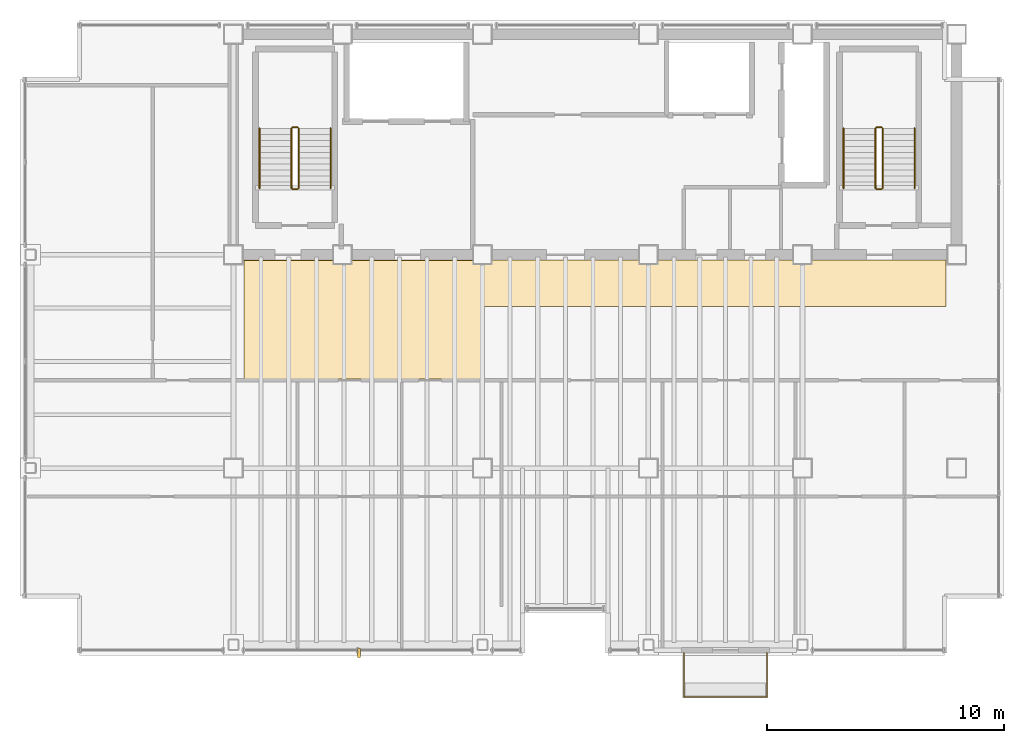
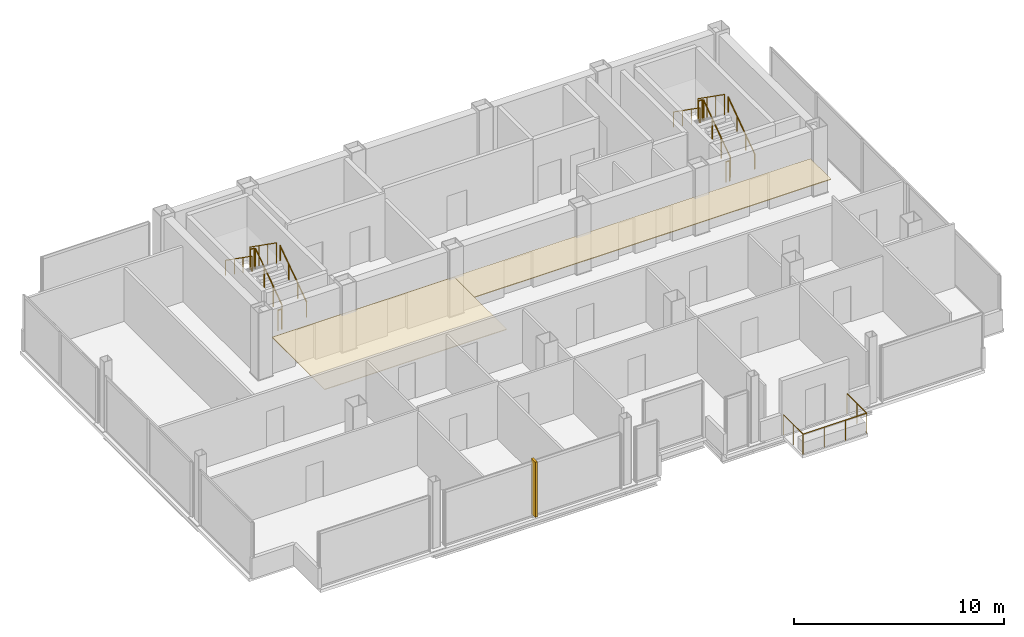
# One storey, part 17 of 17: 13 railings, 2 coverings, 1 shading device.
"""IFC4 building model written with IfcOpenShell, lengths in metres."""

from ifc_helpers import new_model, si_unit, direction, frame, origin, origin_2d, place, context, subcontext, project, spatial, polyline, rectangle, circle, outline, extrude, material, layer, layer_set, type_object, element, save


model = new_model("IFC4")

# Units and contexts
model_context = context("Model", 3, precision=1e-05, world=origin(), true_north=direction((0.0, 1.0)))
body_context = subcontext(model_context, "Body", "Model", "MODEL_VIEW")
ifc_project = project(units=[si_unit("LENGTHUNIT", "METRE"), si_unit("AREAUNIT", "SQUARE_METRE"), si_unit("VOLUMEUNIT", "CUBIC_METRE"), si_unit("PLANEANGLEUNIT", "RADIAN"), si_unit("MASSUNIT", "GRAM", prefix="KILO")], contexts=[model_context])

# Site, building, storey
site_placement = place(None, origin())
site = spatial("IfcSite", under=ifc_project, at=site_placement, CompositionType="ELEMENT")
building_placement = place(site_placement, origin())
building = spatial("IfcBuilding", under=site, at=building_placement, Name="Noeulbin Bourse Tower", CompositionType="ELEMENT")
storey_placement = place(building_placement, frame((0.0, 0.0, 246.199951171875)))
storey = spatial("IfcBuildingStorey", under=building, at=storey_placement, Name="L61", CompositionType="ELEMENT", Elevation=246.199951171875)

# Coverings
ifc_material_1 = material(Name="Perforated Mineral-Fibre Acoustic Tile")
ifc_layer_1 = layer(ifc_material_1, 0.0400390625)
ifc_layer_set_1 = layer_set([ifc_layer_1], Name="Perforated Mineral-Fibre Acoustic Tile")
covering_type_1 = type_object("IfcCoveringType", Name="COV-CEIL-ACT", PredefinedType="CEILING", material=ifc_layer_set_1)
covering_1_placement = place(storey_placement, frame((0.0, 0.0, 2.110107421875)))
element("IfcCovering", 1, at=covering_1_placement, inside=storey, type_object=covering_type_1, Name="Trading Suite Acoustic Ceiling L61", PredefinedType="CEILING", context=body_context, shape_type="SweptSolid", body=[
    extrude(outline(polyline([(13.949951171875, 23.75), (23.949951171875, 23.75), (23.949951171875, 28.75), (13.949951171875, 28.75), (13.949951171875, 23.75)])), origin(), (0.0, 0.0, 1.0), 0.0400390625),
])
ifc_material_2 = material(Name="Linear Anodised Aluminium Baffle Ceiling", Category="aluminium")
ifc_layer_2 = layer(ifc_material_2, 0.050048828125)
ifc_layer_set_2 = layer_set([ifc_layer_2], Name="Linear Anodised Aluminium Baffle Ceiling")
covering_type_2 = type_object("IfcCoveringType", Name="COV-CEIL-MTL", PredefinedType="CEILING", material=ifc_layer_set_2)
covering_2_placement = place(storey_placement, frame((0.0, 0.0, 2.110107421875)))
element("IfcCovering", 2, at=covering_2_placement, inside=storey, type_object=covering_type_2, Name="Corridor Suspended Ceiling L61", PredefinedType="CEILING", context=body_context, shape_type="SweptSolid", body=[
    extrude(outline(polyline([(13.949951171875, 26.820068359375), (43.550048828125, 26.820068359375), (43.550048828125, 28.780029296875), (13.949951171875, 28.780029296875), (13.949951171875, 26.820068359375)])), origin(), (0.0, 0.0, 1.0), 0.0400390625),
])

# Railings
ifc_material_3 = material(Name="Laminated SentryGlas and Stainless Steel 316", Category="steel")
ifc_layer_3 = layer(ifc_material_3, 0.06005859375)
ifc_layer_set_3 = layer_set([ifc_layer_3], Name="Laminated SentryGlas and Stainless Steel 316")
railing_type_1 = type_object("IfcRailingType", Name="RLG-BAL-1200", PredefinedType="BALUSTRADE", material=ifc_layer_set_3)
railing_1_placement = place(storey_placement, frame((32.5, 12.219970703125, 0.0)))
element("IfcRailing", 3, at=railing_1_placement, inside=storey, type_object=railing_type_1, Name="Tree-Balcony Glazed Balustrade L61", PredefinedType="BALUSTRADE", context=body_context, shape_type="SweptSolid", body=[
    extrude(circle(Radius=0.02392578125, at=origin_2d()), frame((0.0, 0.0, 1.17578125), z_axis=(0.0, -1.0, 0.0), x_axis=(1.0, 0.0, 0.0)), (0.0, 0.0, 1.0), 1.869873046875),
    extrude(circle(Radius=0.02392578125, at=origin_2d()), frame((0.0, -1.869873046875, 1.17578125), z_axis=(1.0, 0.0, 0.0), x_axis=(0.0, 1.0, 0.0)), (0.0, 0.0, 1.0), 3.5),
    extrude(circle(Radius=0.02392578125, at=origin_2d()), frame((3.5, -1.869873046875, 1.17578125), z_axis=(0.0, 1.0, 0.0), x_axis=(-1.0, 0.0, 0.0)), (0.0, 0.0, 1.0), 1.869873046875),
    extrude(circle(Radius=0.02099609375, at=origin_2d()), origin(), (0.0, 0.0, 1.0), 1.15185546875),
    extrude(circle(Radius=0.02099609375, at=origin_2d()), frame((0.0, -0.93505859375, 0.0)), (0.0, 0.0, 1.0), 1.15185546875),
    extrude(circle(Radius=0.02099609375, at=origin_2d()), frame((0.0, -1.869873046875, 0.0)), (0.0, 0.0, 1.0), 1.15185546875),
    extrude(circle(Radius=0.02099609375, at=origin_2d()), frame((1.166748046875, -1.869873046875, 0.0)), (0.0, 0.0, 1.0), 1.15185546875),
    extrude(circle(Radius=0.02099609375, at=origin_2d()), frame((2.333251953125, -1.869873046875, 0.0)), (0.0, 0.0, 1.0), 1.15185546875),
    extrude(circle(Radius=0.02099609375, at=origin_2d()), frame((3.5, -1.869873046875, 0.0)), (0.0, 0.0, 1.0), 1.15185546875),
    extrude(circle(Radius=0.02099609375, at=origin_2d()), frame((3.5, -0.93505859375, 0.0)), (0.0, 0.0, 1.0), 1.15185546875),
    extrude(circle(Radius=0.02099609375, at=origin_2d()), frame((3.5, 0.0, 0.0)), (0.0, 0.0, 1.0), 1.15185546875),
])
ifc_material_4 = material(Name="Painted Tubular Steel S355", Category="steel")
ifc_layer_4 = layer(ifc_material_4, 0.048095703125)
ifc_layer_set_4 = layer_set([ifc_layer_4], Name="Painted Tubular Steel S355")
railing_type_2 = type_object("IfcRailingType", Name="RLG-STR-GRD", PredefinedType="GUARDRAIL", material=ifc_layer_set_4)
railing_2_placement = place(storey_placement, frame((16.25, 31.81005859375, 0.17724609375)))
element("IfcRailing", 4, at=railing_2_placement, inside=storey, type_object=railing_type_2, Name="L61 ST-1 stair guard 1", PredefinedType="GUARDRAIL", context=body_context, shape_type="SweptSolid", body=[
    extrude(circle(Radius=0.02392578125, at=origin_2d()), frame((0.0, 0.0, 1.17578125), z_axis=(0.0, 0.817904474719, 0.575354039036), x_axis=(-1.0, 0.0, 0.0)), (0.0, 0.0, 1.0), 3.0810546875),
    extrude(circle(Radius=0.02099609375, at=origin_2d()), origin(), (0.0, 0.0, 1.0), 1.15185546875),
    extrude(circle(Radius=0.02099609375, at=origin_2d()), frame((0.0, 0.840087890625, 0.5908203125)), (0.0, 0.0, 1.0), 1.15185546875),
    extrude(circle(Radius=0.02099609375, at=origin_2d()), frame((0.0, 1.679931640625, 1.181884765625)), (0.0, 0.0, 1.0), 1.15185546875),
    extrude(circle(Radius=0.02099609375, at=origin_2d()), frame((0.0, 2.52001953125, 1.772705078125)), (0.0, 0.0, 1.0), 1.15185546875),
])
railing_3_placement = place(storey_placement, frame((16.199951171875, 34.3798828125, 1.949951171875)))
element("IfcRailing", 5, at=railing_3_placement, inside=storey, type_object=railing_type_2, Name="L61 ST-1 stair guard 2", PredefinedType="GUARDRAIL", context=body_context, shape_type="SweptSolid", body=[
    extrude(circle(Radius=0.02392578125, at=origin_2d()), frame((0.0, 0.0, 1.17578125), z_axis=(-1.0, 0.0, 0.0), x_axis=(0.0, -1.0, 0.0)), (0.0, 0.0, 1.0), 0.199951171875),
    extrude(circle(Radius=0.02099609375, at=origin_2d()), origin(), (0.0, 0.0, 1.0), 1.15185546875),
    extrude(circle(Radius=0.02099609375, at=origin_2d()), frame((-0.199951171875, 0.0, 0.0)), (0.0, 0.0, 1.0), 1.15185546875),
])
railing_4_placement = place(storey_placement, frame((15.949951171875, 34.330078125, 2.12744140625)))
element("IfcRailing", 6, at=railing_4_placement, inside=storey, type_object=railing_type_2, Name="L61 ST-1 stair guard 3", PredefinedType="GUARDRAIL", context=body_context, shape_type="SweptSolid", body=[
    extrude(circle(Radius=0.02392578125, at=origin_2d()), frame((0.0, 0.0, 1.17578125), z_axis=(0.0, -0.817904474719, 0.575354039036), x_axis=(1.0, 0.0, 0.0)), (0.0, 0.0, 1.0), 3.0810546875),
    extrude(circle(Radius=0.02099609375, at=origin_2d()), origin(), (0.0, 0.0, 1.0), 1.15185546875),
    extrude(circle(Radius=0.02099609375, at=origin_2d()), frame((0.0, -0.840087890625, 0.5908203125)), (0.0, 0.0, 1.0), 1.15185546875),
    extrude(circle(Radius=0.02099609375, at=origin_2d()), frame((0.0, -1.679931640625, 1.181884765625)), (0.0, 0.0, 1.0), 1.15185546875),
    extrude(circle(Radius=0.02099609375, at=origin_2d()), frame((0.0, -2.52001953125, 1.772705078125)), (0.0, 0.0, 1.0), 1.15185546875),
])
railing_5_placement = place(storey_placement, frame((16.199951171875, 31.760009765625, 0.0)))
element("IfcRailing", 7, at=railing_5_placement, inside=storey, type_object=railing_type_2, Name="L61 ST-1 stair guard 4", PredefinedType="GUARDRAIL", context=body_context, shape_type="SweptSolid", body=[
    extrude(circle(Radius=0.02392578125, at=origin_2d()), frame((0.0, 0.0, 1.17578125), z_axis=(-1.0, 0.0, 0.0), x_axis=(0.0, -1.0, 0.0)), (0.0, 0.0, 1.0), 0.199951171875),
    extrude(circle(Radius=0.02099609375, at=origin_2d()), origin(), (0.0, 0.0, 1.0), 1.15185546875),
    extrude(circle(Radius=0.02099609375, at=origin_2d()), frame((-0.199951171875, 0.0, 0.0)), (0.0, 0.0, 1.0), 1.15185546875),
])
railing_6_placement = place(storey_placement, frame((40.8798828125, 31.81005859375, 0.17724609375)))
element("IfcRailing", 8, at=railing_6_placement, inside=storey, type_object=railing_type_2, Name="L61 ST-2 stair guard 1", PredefinedType="GUARDRAIL", context=body_context, shape_type="SweptSolid", body=[
    extrude(circle(Radius=0.02392578125, at=origin_2d()), frame((0.0, 0.0, 1.17578125), z_axis=(0.0, 0.817904474719, 0.575354039036), x_axis=(-1.0, 0.0, 0.0)), (0.0, 0.0, 1.0), 3.0810546875),
    extrude(circle(Radius=0.02099609375, at=origin_2d()), origin(), (0.0, 0.0, 1.0), 1.15185546875),
    extrude(circle(Radius=0.02099609375, at=origin_2d()), frame((0.0, 0.840087890625, 0.5908203125)), (0.0, 0.0, 1.0), 1.15185546875),
    extrude(circle(Radius=0.02099609375, at=origin_2d()), frame((0.0, 1.679931640625, 1.181884765625)), (0.0, 0.0, 1.0), 1.15185546875),
    extrude(circle(Radius=0.02099609375, at=origin_2d()), frame((0.0, 2.52001953125, 1.772705078125)), (0.0, 0.0, 1.0), 1.15185546875),
])
railing_7_placement = place(storey_placement, frame((40.830078125, 34.3798828125, 1.949951171875)))
element("IfcRailing", 9, at=railing_7_placement, inside=storey, type_object=railing_type_2, Name="L61 ST-2 stair guard 2", PredefinedType="GUARDRAIL", context=body_context, shape_type="SweptSolid", body=[
    extrude(circle(Radius=0.02392578125, at=origin_2d()), frame((0.0, 0.0, 1.17578125), z_axis=(-1.0, 0.0, 0.0), x_axis=(0.0, -1.0, 0.0)), (0.0, 0.0, 1.0), 0.2001953125),
    extrude(circle(Radius=0.02099609375, at=origin_2d()), origin(), (0.0, 0.0, 1.0), 1.15185546875),
    extrude(circle(Radius=0.02099609375, at=origin_2d()), frame((-0.2001953125, 0.0, 0.0)), (0.0, 0.0, 1.0), 1.15185546875),
])
railing_8_placement = place(storey_placement, frame((40.580078125, 34.330078125, 2.12744140625)))
element("IfcRailing", 10, at=railing_8_placement, inside=storey, type_object=railing_type_2, Name="L61 ST-2 stair guard 3", PredefinedType="GUARDRAIL", context=body_context, shape_type="SweptSolid", body=[
    extrude(circle(Radius=0.02392578125, at=origin_2d()), frame((0.0, 0.0, 1.17578125), z_axis=(0.0, -0.817904474719, 0.575354039036), x_axis=(1.0, 0.0, 0.0)), (0.0, 0.0, 1.0), 3.0810546875),
    extrude(circle(Radius=0.02099609375, at=origin_2d()), origin(), (0.0, 0.0, 1.0), 1.15185546875),
    extrude(circle(Radius=0.02099609375, at=origin_2d()), frame((0.0, -0.840087890625, 0.5908203125)), (0.0, 0.0, 1.0), 1.15185546875),
    extrude(circle(Radius=0.02099609375, at=origin_2d()), frame((0.0, -1.679931640625, 1.181884765625)), (0.0, 0.0, 1.0), 1.15185546875),
    extrude(circle(Radius=0.02099609375, at=origin_2d()), frame((0.0, -2.52001953125, 1.772705078125)), (0.0, 0.0, 1.0), 1.15185546875),
])
railing_9_placement = place(storey_placement, frame((40.830078125, 31.760009765625, 0.0)))
element("IfcRailing", 11, at=railing_9_placement, inside=storey, type_object=railing_type_2, Name="L61 ST-2 stair guard 4", PredefinedType="GUARDRAIL", context=body_context, shape_type="SweptSolid", body=[
    extrude(circle(Radius=0.02392578125, at=origin_2d()), frame((0.0, 0.0, 1.17578125), z_axis=(-1.0, 0.0, 0.0), x_axis=(0.0, -1.0, 0.0)), (0.0, 0.0, 1.0), 0.2001953125),
    extrude(circle(Radius=0.02099609375, at=origin_2d()), origin(), (0.0, 0.0, 1.0), 1.15185546875),
    extrude(circle(Radius=0.02099609375, at=origin_2d()), frame((-0.2001953125, 0.0, 0.0)), (0.0, 0.0, 1.0), 1.15185546875),
])
ifc_material_5 = material(Name="Brushed Stainless Steel 316", Category="steel")
ifc_layer_5 = layer(ifc_material_5, 0.048095703125)
ifc_layer_set_5 = layer_set([ifc_layer_5], Name="Brushed Stainless Steel 316")
railing_type_3 = type_object("IfcRailingType", Name="RLG-STR-HND", PredefinedType="HANDRAIL", material=ifc_layer_set_5)
railing_10_placement = place(storey_placement, frame((17.60009765625, 31.81005859375, 0.17724609375)))
element("IfcRailing", 12, at=railing_10_placement, inside=storey, type_object=railing_type_3, Name="L61 ST-1 stair handrail 1", PredefinedType="HANDRAIL", context=body_context, shape_type="SweptSolid", body=[
    extrude(circle(Radius=0.02392578125, at=origin_2d()), frame((0.0, 0.0, 0.8759765625), z_axis=(0.0, 0.817904474719, 0.575354039036), x_axis=(-1.0, 0.0, 0.0)), (0.0, 0.0, 1.0), 3.0810546875),
    extrude(circle(Radius=0.02099609375, at=origin_2d()), origin(), (0.0, 0.0, 1.0), 0.851806640625),
    extrude(circle(Radius=0.02099609375, at=origin_2d()), frame((0.0, 0.840087890625, 0.5908203125)), (0.0, 0.0, 1.0), 0.851806640625),
    extrude(circle(Radius=0.02099609375, at=origin_2d()), frame((0.0, 1.679931640625, 1.181884765625)), (0.0, 0.0, 1.0), 0.851806640625),
    extrude(circle(Radius=0.02099609375, at=origin_2d()), frame((0.0, 2.52001953125, 1.772705078125)), (0.0, 0.0, 1.0), 0.851806640625),
])
railing_11_placement = place(storey_placement, frame((14.60009765625, 34.330078125, 2.12744140625)))
element("IfcRailing", 13, at=railing_11_placement, inside=storey, type_object=railing_type_3, Name="L61 ST-1 stair handrail 2", PredefinedType="HANDRAIL", context=body_context, shape_type="SweptSolid", body=[
    extrude(circle(Radius=0.02392578125, at=origin_2d()), frame((0.0, 0.0, 0.8759765625), z_axis=(0.0, -0.817904474719, 0.575354039036), x_axis=(1.0, 0.0, 0.0)), (0.0, 0.0, 1.0), 3.0810546875),
    extrude(circle(Radius=0.02099609375, at=origin_2d()), origin(), (0.0, 0.0, 1.0), 0.851806640625),
    extrude(circle(Radius=0.02099609375, at=origin_2d()), frame((0.0, -0.840087890625, 0.5908203125)), (0.0, 0.0, 1.0), 0.851806640625),
    extrude(circle(Radius=0.02099609375, at=origin_2d()), frame((0.0, -1.679931640625, 1.181884765625)), (0.0, 0.0, 1.0), 0.851806640625),
    extrude(circle(Radius=0.02099609375, at=origin_2d()), frame((0.0, -2.52001953125, 1.772705078125)), (0.0, 0.0, 1.0), 0.851806640625),
])
railing_12_placement = place(storey_placement, frame((42.22998046875, 31.81005859375, 0.17724609375)))
element("IfcRailing", 14, at=railing_12_placement, inside=storey, type_object=railing_type_3, Name="L61 ST-2 stair handrail 1", PredefinedType="HANDRAIL", context=body_context, shape_type="SweptSolid", body=[
    extrude(circle(Radius=0.02392578125, at=origin_2d()), frame((0.0, 0.0, 0.8759765625), z_axis=(0.0, 0.817904474719, 0.575354039036), x_axis=(-1.0, 0.0, 0.0)), (0.0, 0.0, 1.0), 3.0810546875),
    extrude(circle(Radius=0.02099609375, at=origin_2d()), origin(), (0.0, 0.0, 1.0), 0.851806640625),
    extrude(circle(Radius=0.02099609375, at=origin_2d()), frame((0.0, 0.840087890625, 0.5908203125)), (0.0, 0.0, 1.0), 0.851806640625),
    extrude(circle(Radius=0.02099609375, at=origin_2d()), frame((0.0, 1.679931640625, 1.181884765625)), (0.0, 0.0, 1.0), 0.851806640625),
    extrude(circle(Radius=0.02099609375, at=origin_2d()), frame((0.0, 2.52001953125, 1.772705078125)), (0.0, 0.0, 1.0), 0.851806640625),
])
railing_13_placement = place(storey_placement, frame((39.22998046875, 34.330078125, 2.12744140625)))
element("IfcRailing", 15, at=railing_13_placement, inside=storey, type_object=railing_type_3, Name="L61 ST-2 stair handrail 2", PredefinedType="HANDRAIL", context=body_context, shape_type="SweptSolid", body=[
    extrude(circle(Radius=0.02392578125, at=origin_2d()), frame((0.0, 0.0, 0.8759765625), z_axis=(0.0, -0.817904474719, 0.575354039036), x_axis=(1.0, 0.0, 0.0)), (0.0, 0.0, 1.0), 3.0810546875),
    extrude(circle(Radius=0.02099609375, at=origin_2d()), origin(), (0.0, 0.0, 1.0), 0.851806640625),
    extrude(circle(Radius=0.02099609375, at=origin_2d()), frame((0.0, -0.840087890625, 0.5908203125)), (0.0, 0.0, 1.0), 0.851806640625),
    extrude(circle(Radius=0.02099609375, at=origin_2d()), frame((0.0, -1.679931640625, 1.181884765625)), (0.0, 0.0, 1.0), 0.851806640625),
    extrude(circle(Radius=0.02099609375, at=origin_2d()), frame((0.0, -2.52001953125, 1.772705078125)), (0.0, 0.0, 1.0), 0.851806640625),
])

# Shading device
ifc_material_6 = material(Name="Anodised Aluminium 6063-T6", Category="aluminium")
ifc_layer_6 = layer(ifc_material_6, 3.199951171875)
ifc_layer_set_6 = layer_set([ifc_layer_6], Name="Anodised Aluminium 6063-T6")
shading_device_type = type_object("IfcShadingDeviceType", Name="SHD-FIN-400", PredefinedType="USERDEFINED", material=ifc_layer_set_6)
shading_device_placement = place(storey_placement, frame((18.800048828125, 12.199951171875, 0.14990234375), z_axis=(0.0, 0.0, 1.0), x_axis=(1.0, 0.0, 0.0)))
element("IfcShadingDevice", 16, at=shading_device_placement, inside=storey, type_object=shading_device_type, Name="Vertical Solar Fin SN-L61-1", ObjectType="SUNSHADE", PredefinedType="USERDEFINED", context=body_context, shape_type="SweptSolid", body=[
    extrude(rectangle(XDim=0.1201171875, YDim=0.3798828125, at=origin_2d()), origin(), (0.0, 0.0, 1.0), 3.199951171875),
])

save(model, "model.ifc")
